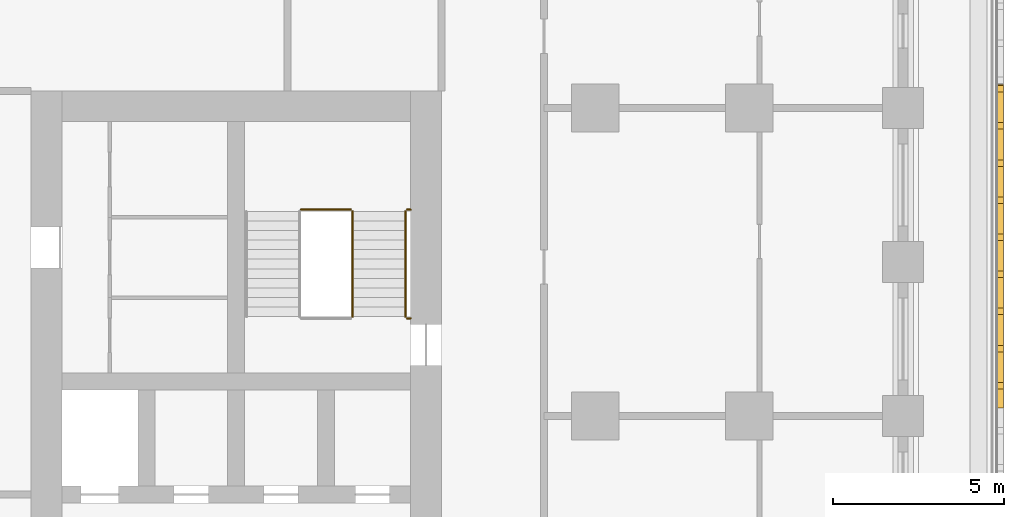
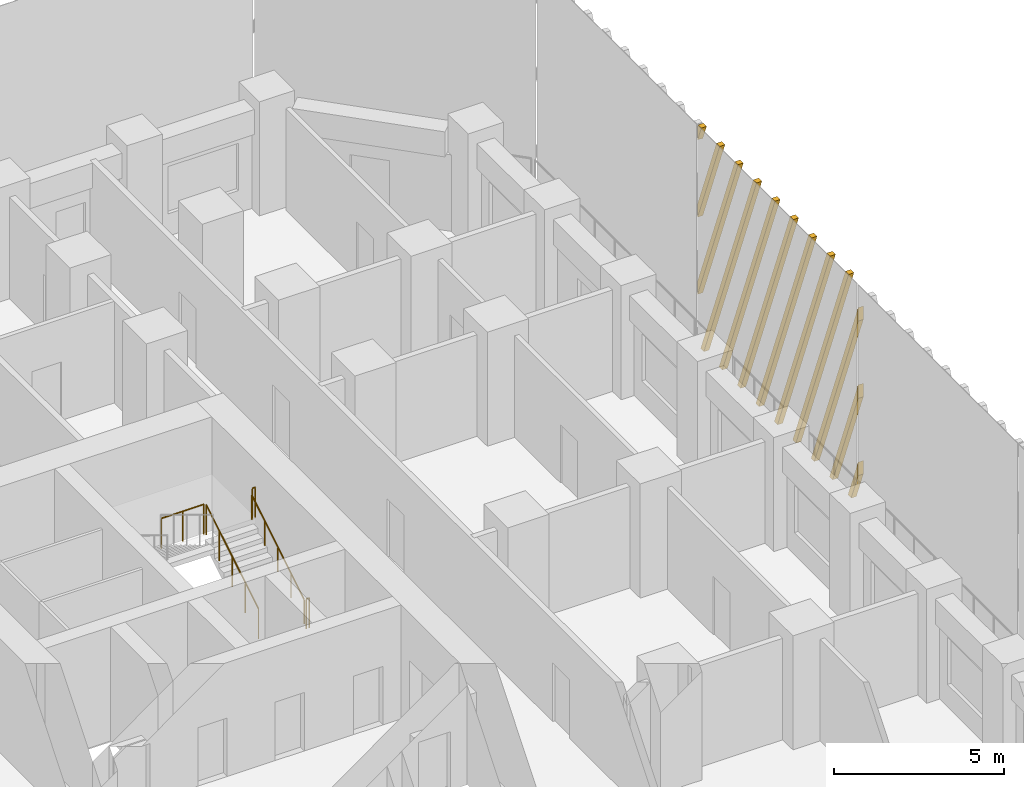
# One storey, part 17 of 19: 5 railings, 1 shading device.
"""IFC4 building model written with IfcOpenShell, lengths in metres."""

import ifcopenshell
import ifcopenshell.guid

model = None  # the IFC model being written
_history = None  # IfcOwnerHistory: only IFC2X3 demands one
_inside = {}  # id of a spatial element -> (the spatial element, [elements in it])
_under = {}  # id of a project, library or spatial element -> (it, [spatial elements below it])
_declared = {}  # id of a project -> (the project, [libraries it declares])
_typed = {}  # id of a type object -> (the type object, [elements of that type])
_made_of = {}  # id of a material, layer set ... -> (it, [elements and type objects made of it])


def new_model(schema):
    """Start an empty IFC model of exactly this schema.

    Asked for "IFC4X3", IfcOpenShell would pick the latest addendum, in which some entities
    have other attributes; the version numbers below select the first issue.
    IFC2X3 requires an IfcOwnerHistory on every rooted entity: one is made here for all.
    """
    global model, _history
    if schema == "IFC4X3":
        model = ifcopenshell.file(schema_version=(4, 3, 0, 0))
    else:
        model = ifcopenshell.file(schema=schema)
    _inside.clear()
    _under.clear()
    _declared.clear()
    _typed.clear()
    _made_of.clear()
    _history = None
    if model.schema == "IFC2X3":
        org = make("IfcOrganization", Name="unknown")
        user = make(
            "IfcPersonAndOrganization",
            ThePerson=make("IfcPerson", FamilyName="unknown"),
            TheOrganization=org,
        )
        app = make(
            "IfcApplication",
            ApplicationDeveloper=org,
            Version="unknown",
            ApplicationFullName="unknown",
            ApplicationIdentifier="unknown",
        )
        _history = make(
            "IfcOwnerHistory",
            OwningUser=user,
            OwningApplication=app,
            ChangeAction="ADDED",
            CreationDate=0,
        )
    return model


def make(cls, **values):
    """One entity of the class cls with the attributes given. An attribute that is None is left unset."""
    return model.create_entity(
        cls, **{name: value for name, value in values.items() if value is not None}
    )


def rooted(cls, **values):
    """An entity with a GlobalId (a new one), such as an element, a storey or a relation."""
    return make(cls, GlobalId=ifcopenshell.guid.new(), OwnerHistory=_history, **values)


def si_unit(unit_type, name, prefix=None):
    """IfcSIUnit, for example si_unit("LENGTHUNIT", "METRE", prefix="MILLI")."""
    return make("IfcSIUnit", UnitType=unit_type, Prefix=prefix, Name=name)


def assignment(units):
    """IfcUnitAssignment: the units of a project."""
    return None if units is None else make("IfcUnitAssignment", Units=units)


def point(xyz):
    """IfcCartesianPoint."""
    return None if xyz is None else make("IfcCartesianPoint", Coordinates=xyz)


def direction(xyz):
    """IfcDirection."""
    return None if xyz is None else make("IfcDirection", DirectionRatios=xyz)


def frame(location, z_axis=None, x_axis=None):
    """IfcAxis2Placement3D, a coordinate frame: its origin and axes. An axis left out is left unset."""
    return make(
        "IfcAxis2Placement3D",
        Location=point(location),
        Axis=direction(z_axis),
        RefDirection=direction(x_axis),
    )


def frame_2d(location, x_axis=None):
    """IfcAxis2Placement2D, a coordinate frame in the plane: its origin and x axis."""
    return make(
        "IfcAxis2Placement2D", Location=point(location), RefDirection=direction(x_axis)
    )


def origin():
    """The frame at (0, 0, 0) with its axes left unset."""
    return frame((0.0, 0.0, 0.0))


def origin_2d():
    """The frame at (0, 0) in the plane with its x axis left unset."""
    return frame_2d((0.0, 0.0))


def place(relative_to, where):
    """IfcLocalPlacement: puts the frame where relative to a parent placement (None: the world)."""
    return make(
        "IfcLocalPlacement", PlacementRelTo=relative_to, RelativePlacement=where
    )


def context(
    kind, dimensions, precision=None, world=None, true_north=None, identifier=None
):
    """IfcGeometricRepresentationContext, for example the 3D "Model" context."""
    return make(
        "IfcGeometricRepresentationContext",
        ContextIdentifier=identifier,
        ContextType=kind,
        CoordinateSpaceDimension=dimensions,
        Precision=precision,
        WorldCoordinateSystem=world,
        TrueNorth=true_north,
    )


def subcontext(parent, identifier, kind, view, scale=None):
    """IfcGeometricRepresentationSubContext, for example "Body" below "Model"."""
    return make(
        "IfcGeometricRepresentationSubContext",
        ContextIdentifier=identifier,
        ContextType=kind,
        ParentContext=parent,
        TargetScale=scale,
        TargetView=view,
    )


def project(units=None, contexts=None):
    """IfcProject with its units and contexts."""
    return rooted(
        "IfcProject",
        Name="project",
        RepresentationContexts=contexts,
        UnitsInContext=assignment(units),
    )


def spatial(cls, under=None, at=None, **own):
    """A site, building, storey or space (cls), placed at a placement, below another one or the project."""
    s = rooted(cls, ObjectPlacement=at, **own)
    if under is not None:
        _under.setdefault(under.id(), (under, []))[1].append(s)
    return s


def polyline(points):
    """IfcPolyline through the points."""
    return make("IfcPolyline", Points=[point(p) for p in points])


def profile(cls, at=None, kind="AREA", **sizes):
    """A parametric profile (cls). Its sizes go by their IFC names, for example OverallWidth=200.0."""
    return make(cls, ProfileType=kind, Position=at, **sizes)


def circle(**sizes):
    """IfcCircleProfileDef."""
    return profile("IfcCircleProfileDef", **sizes)


def outline(outer, holes=None, kind="AREA"):
    """IfcArbitraryClosedProfileDef: a profile drawn as a closed curve; with holes, ...WithVoids."""
    if holes is None:
        return make("IfcArbitraryClosedProfileDef", ProfileType=kind, OuterCurve=outer)
    return make(
        "IfcArbitraryProfileDefWithVoids",
        ProfileType=kind,
        OuterCurve=outer,
        InnerCurves=holes,
    )


def extrude(swept, where, along, depth):
    """IfcExtrudedAreaSolid: the profile swept, set in the frame where, extruded along a direction by depth."""
    return make(
        "IfcExtrudedAreaSolid",
        SweptArea=swept,
        Position=where,
        ExtrudedDirection=direction(along),
        Depth=depth,
    )


def shape(context_of_items, identifier, shape_type, items):
    """IfcShapeRepresentation: the items that make up one representation, for example the "Body"."""
    return make(
        "IfcShapeRepresentation",
        ContextOfItems=context_of_items,
        RepresentationIdentifier=identifier,
        RepresentationType=shape_type,
        Items=items,
    )


def source(mapping_origin, context_of_items, identifier, shape_type, items):
    """IfcRepresentationMap: a shape defined once, which mapped items show again and again."""
    return make(
        "IfcRepresentationMap",
        MappingOrigin=mapping_origin,
        MappedRepresentation=shape(context_of_items, identifier, shape_type, items),
    )


def transform(
    local_origin,
    x_axis=None,
    y_axis=None,
    z_axis=None,
    scale=None,
    scale2=None,
    scale3=None,
    uniform=True,
):
    """IfcCartesianTransformationOperator3D, or its non-uniform kind. x_axis, y_axis, z_axis: its Axis1, 2, 3."""
    if uniform:
        return make(
            "IfcCartesianTransformationOperator3D",
            Axis1=direction(x_axis),
            Axis2=direction(y_axis),
            LocalOrigin=point(local_origin),
            Scale=scale,
            Axis3=direction(z_axis),
        )
    return make(
        "IfcCartesianTransformationOperator3DnonUniform",
        Axis1=direction(x_axis),
        Axis2=direction(y_axis),
        LocalOrigin=point(local_origin),
        Scale=scale,
        Axis3=direction(z_axis),
        Scale2=scale2,
        Scale3=scale3,
    )


def mapped(mapping_source, mapping_target):
    """IfcMappedItem: shows the shape of a source again, moved by a transform."""
    return make(
        "IfcMappedItem", MappingSource=mapping_source, MappingTarget=mapping_target
    )


def material(Name=None, Category=None):
    """IfcMaterial."""
    return make("IfcMaterial", Name=Name, Category=Category)


def made_of(thing, what):
    """Note that an element or type object is made of a material, layer set ...; save() writes the relation."""
    if what is not None:
        _made_of.setdefault(what.id(), (what, []))[1].append(thing)
    return thing


def type_object(cls, material=None, **own):
    """A type object (cls), such as IfcWallType, which elements share."""
    return made_of(rooted(cls, **own), material)


def element(
    cls,
    number,
    at=None,
    inside=None,
    cuts=None,
    type_object=None,
    material=None,
    context=None,
    identifier="Body",
    shape_type=None,
    held_by="IfcProductDefinitionShape",
    body=None,
    shapes=None,
    **own,
):
    """One element of the class cls, such as IfcWall. Its Tag is "e" and its number.

    at: its placement. inside: the storey or other place that contains it. cuts: it is an
    opening in that element (IfcRelVoidsElement). A single representation is given by context,
    identifier, shape_type and body (its items); several are given by shapes. held_by: the class
    of the entity that holds the representations. save() writes the other relations.
    """
    e = rooted(cls, Tag="e%d" % number, ObjectPlacement=at, **own)
    if body is not None:
        shapes = [shape(context, identifier, shape_type, body)]
    if shapes is not None:
        e.Representation = make(held_by, Representations=shapes)
    if inside is not None:
        _inside.setdefault(inside.id(), (inside, []))[1].append(e)
    if cuts is not None:
        rooted(
            "IfcRelVoidsElement", RelatingBuildingElement=cuts, RelatedOpeningElement=e
        )
    if type_object is not None:
        _typed.setdefault(type_object.id(), (type_object, []))[1].append(e)
    return made_of(e, material)


def aggregate(whole, parts):
    """IfcRelAggregates: a whole, such as a stair, and the parts it consists of."""
    return rooted("IfcRelAggregates", RelatingObject=whole, RelatedObjects=parts)


def save(model, path):
    """Write the relations noted so far, then the file.

    IfcRelAggregates (storeys below a building ...), IfcRelContainedInSpatialStructure (elements
    in a storey), IfcRelDefinesByType, IfcRelAssociatesMaterial and IfcRelDeclares: one each for
    every whole, place, type object, material and project.
    """
    for whole, parts in _under.values():
        aggregate(whole, parts)
    for where, things in _inside.values():
        rooted(
            "IfcRelContainedInSpatialStructure",
            RelatedElements=things,
            RelatingStructure=where,
        )
    for kind, things in _typed.values():
        rooted("IfcRelDefinesByType", RelatedObjects=things, RelatingType=kind)
    for what, things in _made_of.values():
        rooted("IfcRelAssociatesMaterial", RelatedObjects=things, RelatingMaterial=what)
    for by, libraries in _declared.values():
        rooted("IfcRelDeclares", RelatingContext=by, RelatedDefinitions=libraries)
    model.write(path)


model = new_model("IFC4")

# Units and contexts
model_context = context("Model", 3, precision=1e-05, world=origin(), true_north=direction((0.0, 1.0)))
body_context = subcontext(model_context, "Body", "Model", "MODEL_VIEW")
ifc_project = project(units=[si_unit("LENGTHUNIT", "METRE"), si_unit("AREAUNIT", "SQUARE_METRE"), si_unit("VOLUMEUNIT", "CUBIC_METRE"), si_unit("PLANEANGLEUNIT", "RADIAN"), si_unit("MASSUNIT", "GRAM", prefix="KILO")], contexts=[model_context])

# Site, building, storey
site_placement = place(None, origin())
site = spatial("IfcSite", under=ifc_project, at=site_placement, CompositionType="ELEMENT")
building_placement = place(site_placement, origin())
building = spatial("IfcBuilding", under=site, at=building_placement, Name="Corbel Stack Research Tower", CompositionType="ELEMENT")
storey_placement = place(building_placement, frame((0.0, 0.0, 90.199951171875)))
storey = spatial("IfcBuildingStorey", under=building, at=storey_placement, Name="L20", CompositionType="ELEMENT", Elevation=90.199951171875)

# Railings
ifc_material_1 = material(Name="Steel S355", Category="steel")
railing_type_1 = type_object("IfcRailingType", Name="Stair guard 1100", PredefinedType="GUARDRAIL", material=ifc_material_1)
railing_1_placement = place(storey_placement, frame((15.39990234375, 11.89990234375, 0.1708984375)))
element("IfcRailing", 1, at=railing_1_placement, inside=storey, type_object=railing_type_1, Name="L20 ST-E2 stair guard 1", PredefinedType="GUARDRAIL", context=body_context, shape_type="SweptSolid", body=[
    extrude(circle(Radius=0.02392578125, at=origin_2d()), frame((0.0, 0.0, 1.076171875), z_axis=(0.0, 0.853666305674, 0.52082035152), x_axis=(-1.0, 0.0, 0.0)), (0.0, 0.0, 1.0), 3.608154296875),
    extrude(circle(Radius=0.02099609375, at=origin_2d()), origin(), (0.0, 0.0, 1.0), 1.052001953125),
    extrude(circle(Radius=0.02099609375, at=origin_2d()), frame((0.0, 0.77001953125, 0.4697265625)), (0.0, 0.0, 1.0), 1.052001953125),
    extrude(circle(Radius=0.02099609375, at=origin_2d()), frame((0.0, 1.5400390625, 0.939453125)), (0.0, 0.0, 1.0), 1.052001953125),
    extrude(circle(Radius=0.02099609375, at=origin_2d()), frame((0.0, 2.31005859375, 1.409423828125)), (0.0, 0.0, 1.0), 1.052001953125),
    extrude(circle(Radius=0.02099609375, at=origin_2d()), frame((0.0, 3.080078125, 1.879150390625)), (0.0, 0.0, 1.0), 1.052001953125),
])
railing_2_placement = place(storey_placement, frame((15.35009765625, 15.030029296875, 2.050048828125)))
element("IfcRailing", 2, at=railing_2_placement, inside=storey, type_object=railing_type_1, Name="L20 ST-E2 stair guard 2", PredefinedType="GUARDRAIL", context=body_context, shape_type="SweptSolid", body=[
    extrude(circle(Radius=0.02392578125, at=origin_2d()), frame((0.0, 0.0, 1.076171875), z_axis=(-1.0, 0.0, 0.0), x_axis=(0.0, -1.0, 0.0)), (0.0, 0.0, 1.0), 1.4501953125),
    extrude(circle(Radius=0.02099609375, at=origin_2d()), origin(), (0.0, 0.0, 1.0), 1.052001953125),
    extrude(circle(Radius=0.02099609375, at=origin_2d()), frame((-0.72509765625, 0.0, 0.0)), (0.0, 0.0, 1.0), 1.052001953125),
    extrude(circle(Radius=0.02099609375, at=origin_2d()), frame((-1.4501953125, 0.0, 0.0)), (0.0, 0.0, 1.0), 1.052001953125),
])
for number, where, name in (
    (3, (17.10009765625, 15.030029296875, 2.050048828125), "L20 ST-E2 stair guard 3"),
    (4, (17.10009765625, 11.85009765625, 0.0), "L20 ST-E2 stair guard 6"),
):
    element("IfcRailing", number, at=place(storey_placement, frame(where)), inside=storey, type_object=railing_type_1, Name=name, PredefinedType="GUARDRAIL", context=body_context, shape_type="SweptSolid", body=[
        extrude(circle(Radius=0.02392578125, at=origin_2d()), frame((0.0, 0.0, 1.076171875), z_axis=(-1.0, 0.0, 0.0), x_axis=(0.0, -1.0, 0.0)), (0.0, 0.0, 1.0), 0.10009765625),
        extrude(circle(Radius=0.02099609375, at=origin_2d()), origin(), (0.0, 0.0, 1.0), 1.052001953125),
        extrude(circle(Radius=0.02099609375, at=origin_2d()), frame((-0.10009765625, 0.0, 0.0)), (0.0, 0.0, 1.0), 1.052001953125),
    ])
ifc_material_2 = material(Name="Steel S355", Category="steel")
railing_type_2 = type_object("IfcRailingType", Name="Stair handrail 900", PredefinedType="HANDRAIL", material=ifc_material_2)
railing_3_placement = place(storey_placement, frame((16.949951171875, 11.89990234375, 0.1708984375)))
element("IfcRailing", 5, at=railing_3_placement, inside=storey, type_object=railing_type_2, Name="L20 ST-E2 stair handrail 1", PredefinedType="HANDRAIL", context=body_context, shape_type="SweptSolid", body=[
    extrude(circle(Radius=0.02392578125, at=origin_2d()), frame((0.0, 0.0, 0.8759765625), z_axis=(0.0, 0.853666305674, 0.52082035152), x_axis=(-1.0, 0.0, 0.0)), (0.0, 0.0, 1.0), 3.608154296875),
    extrude(circle(Radius=0.02099609375, at=origin_2d()), origin(), (0.0, 0.0, 1.0), 0.851806640625),
    extrude(circle(Radius=0.02099609375, at=origin_2d()), frame((0.0, 0.77001953125, 0.4697265625)), (0.0, 0.0, 1.0), 0.851806640625),
    extrude(circle(Radius=0.02099609375, at=origin_2d()), frame((0.0, 1.5400390625, 0.939453125)), (0.0, 0.0, 1.0), 0.851806640625),
    extrude(circle(Radius=0.02099609375, at=origin_2d()), frame((0.0, 2.31005859375, 1.409423828125)), (0.0, 0.0, 1.0), 0.851806640625),
    extrude(circle(Radius=0.02099609375, at=origin_2d()), frame((0.0, 3.080078125, 1.879150390625)), (0.0, 0.0, 1.0), 0.851806640625),
])

# Shading device
ifc_material_3 = material(Name="Precast terracotta", Category="masonry")
shading_device_type = type_object("IfcShadingDeviceType", Name="Terracotta screen panel", PredefinedType="USERDEFINED", material=ifc_material_3)
shared_shape = source(origin(), body_context, "Body", "SweptSolid", [
    extrude(outline(polyline([(0.60205078125, 0.0), (0.0, 1.541748046875), (0.0, 1.055419921875), (0.412109375, 0.0), (0.60205078125, 0.0)])), frame((0.0, 0.0, 0.0), z_axis=(0.0, -1.0, 0.0), x_axis=(1.0, 0.0, 0.0)), (0.0, 0.0, 1.0), 0.179931640625),
    extrude(outline(polyline([(1.686767578125, 0.0), (0.0, 4.319091796875), (0.0, 3.83251953125), (1.496826171875, 0.0), (1.686767578125, 0.0)])), frame((0.0, 0.0, 0.0), z_axis=(0.0, -1.0, 0.0), x_axis=(1.0, 0.0, 0.0)), (0.0, 0.0, 1.0), 0.179931640625),
    extrude(outline(polyline([(2.771484375, 0.0), (0.0, 7.096435546875), (0.0, 6.60986328125), (2.58154296875, 0.0), (2.771484375, 0.0)])), frame((0.0, 0.0, 0.0), z_axis=(0.0, -1.0, 0.0), x_axis=(1.0, 0.0, 0.0)), (0.0, 0.0, 1.0), 0.179931640625),
    extrude(outline(polyline([(3.856201171875, 0.0), (0.751220703125, 7.949951171875), (0.561279296875, 7.949951171875), (3.666015625, 0.0), (3.856201171875, 0.0)])), frame((0.0, 0.0, 0.0), z_axis=(0.0, -1.0, 0.0), x_axis=(1.0, 0.0, 0.0)), (0.0, 0.0, 1.0), 0.179931640625),
    extrude(outline(polyline([(4.94091796875, 0.0), (1.8359375, 7.949951171875), (1.64599609375, 7.949951171875), (4.750732421875, 0.0), (4.94091796875, 0.0)])), frame((0.0, 0.0, 0.0), z_axis=(0.0, -1.0, 0.0), x_axis=(1.0, 0.0, 0.0)), (0.0, 0.0, 1.0), 0.179931640625),
    extrude(outline(polyline([(6.025390625, 0.0), (2.920654296875, 7.949951171875), (2.730712890625, 7.949951171875), (5.83544921875, 0.0), (6.025390625, 0.0)])), frame((0.0, 0.0, 0.0), z_axis=(0.0, -1.0, 0.0), x_axis=(1.0, 0.0, 0.0)), (0.0, 0.0, 1.0), 0.179931640625),
    extrude(outline(polyline([(7.110107421875, 0.0), (4.00537109375, 7.949951171875), (3.815185546875, 7.949951171875), (6.920166015625, 0.0), (7.110107421875, 0.0)])), frame((0.0, 0.0, 0.0), z_axis=(0.0, -1.0, 0.0), x_axis=(1.0, 0.0, 0.0)), (0.0, 0.0, 1.0), 0.179931640625),
    extrude(outline(polyline([(8.19482421875, 0.0), (5.090087890625, 7.949951171875), (4.89990234375, 7.949951171875), (8.0048828125, 0.0), (8.19482421875, 0.0)])), frame((0.0, 0.0, 0.0), z_axis=(0.0, -1.0, 0.0), x_axis=(1.0, 0.0, 0.0)), (0.0, 0.0, 1.0), 0.179931640625),
    extrude(outline(polyline([(9.279541015625, 0.0), (6.174560546875, 7.949951171875), (5.984619140625, 7.949951171875), (9.089599609375, 0.0), (9.279541015625, 0.0)])), frame((0.0, 0.0, 0.0), z_axis=(0.0, -1.0, 0.0), x_axis=(1.0, 0.0, 0.0)), (0.0, 0.0, 1.0), 0.179931640625),
    extrude(outline(polyline([(7.25927734375, 7.949951171875), (7.0693359375, 7.949951171875), (9.45556640625, 1.839599609375), (9.45556640625, 2.326171875), (7.25927734375, 7.949951171875)])), frame((0.0, 0.0, 0.0), z_axis=(0.0, -1.0, 0.0), x_axis=(1.0, 0.0, 0.0)), (0.0, 0.0, 1.0), 0.179931640625),
    extrude(outline(polyline([(8.343994140625, 7.949951171875), (8.15380859375, 7.949951171875), (9.45556640625, 4.616943359375), (9.45556640625, 5.103515625), (8.343994140625, 7.949951171875)])), frame((0.0, 0.0, 0.0), z_axis=(0.0, -1.0, 0.0), x_axis=(1.0, 0.0, 0.0)), (0.0, 0.0, 1.0), 0.179931640625),
    extrude(outline(polyline([(9.4287109375, 7.949951171875), (9.238525390625, 7.949951171875), (9.45556640625, 7.394287109375), (9.45556640625, 7.880859375), (9.4287109375, 7.949951171875)])), frame((0.0, 0.0, 0.0), z_axis=(0.0, -1.0, 0.0), x_axis=(1.0, 0.0, 0.0)), (0.0, 0.0, 1.0), 0.179931640625),
])
shading_device_placement = place(storey_placement, frame((34.25, 9.227783203125, 0.0), z_axis=(0.0, 0.0, 1.0), x_axis=(0.0, 1.0, 0.0)))
element("IfcShadingDevice", 6, at=shading_device_placement, inside=storey, type_object=shading_device_type, Name="Terracotta screen L20 E4", ObjectType="SCREEN", PredefinedType="USERDEFINED", context=body_context, shape_type="MappedRepresentation", body=[
    mapped(shared_shape, transform((0.0, 0.0, 0.0))),
])

save(model, "model.ifc")
